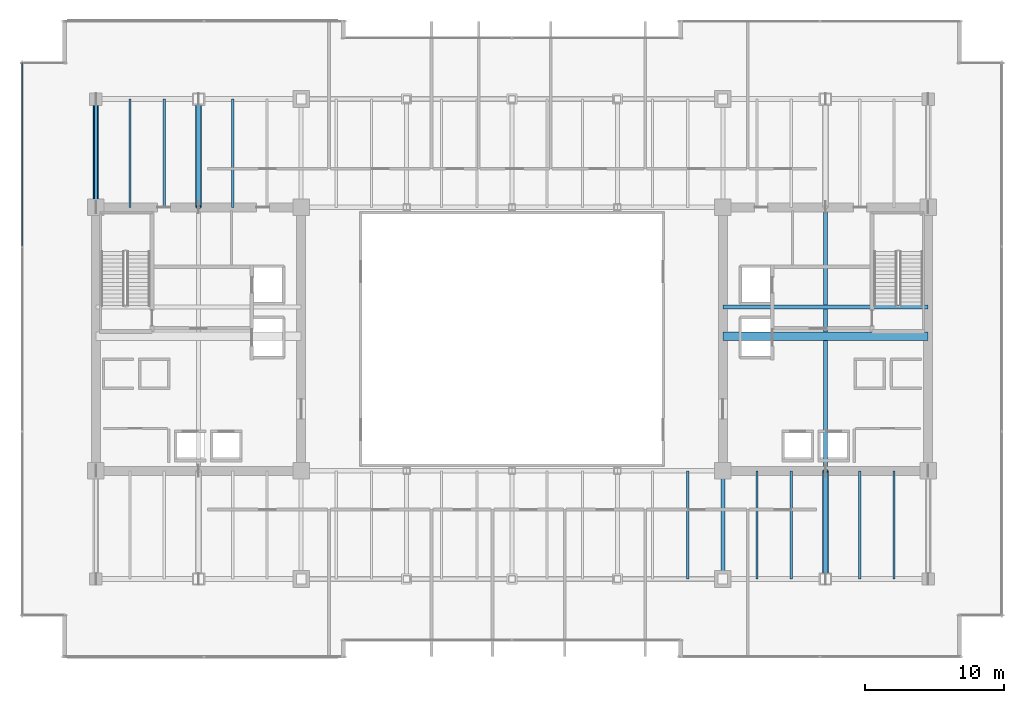
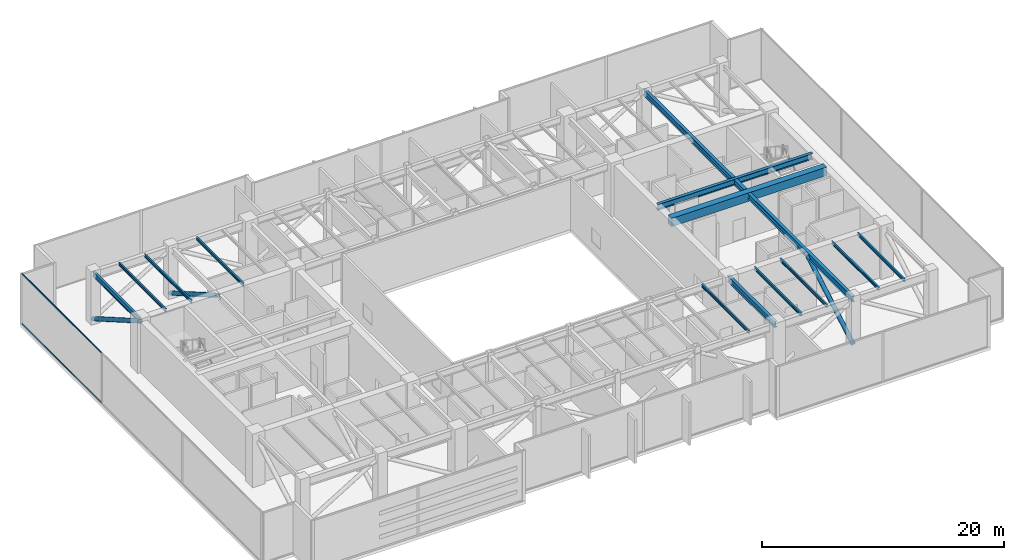
# One storey, part 13 of 34: 13 beams, 5 members, 1 element without a shape of its own.
"""IFC4 building model written with IfcOpenShell, lengths in metres."""

from ifc_helpers import new_model, si_unit, direction, frame, origin, origin_2d, place, context, subcontext, project, spatial, rectangle, hollow_rectangle, hollow_circle, i_section, extrude, source, transform, mapped, material, layer, layer_set, material_profile, profile_set, type_object, type_shapes, element, aggregate, save


model = new_model("IFC4")

# Units and contexts
model_context = context("Model", 3, precision=1e-05, world=origin(), true_north=direction((0.0, 1.0)))
body_context = subcontext(model_context, "Body", "Model", "MODEL_VIEW")
ifc_project = project(units=[si_unit("LENGTHUNIT", "METRE"), si_unit("AREAUNIT", "SQUARE_METRE"), si_unit("VOLUMEUNIT", "CUBIC_METRE"), si_unit("PLANEANGLEUNIT", "RADIAN"), si_unit("MASSUNIT", "GRAM", prefix="KILO")], contexts=[model_context])

# Site, building, storey
site_placement = place(None, origin())
site = spatial("IfcSite", under=ifc_project, at=site_placement, CompositionType="ELEMENT")
building_placement = place(site_placement, origin())
building = spatial("IfcBuilding", under=site, at=building_placement, Name="Haelvirn Gate Laboratories", CompositionType="ELEMENT")
storey_placement = place(building_placement, frame((0.0, 0.0, 191.199951171875)))
storey = spatial("IfcBuildingStorey", under=building, at=storey_placement, Name="L46", CompositionType="ELEMENT", Elevation=191.199951171875)

# Beams
ifc_material_1 = material(Name="Steel SM355", Category="steel")
ifc_material_profile_1 = material_profile(ifc_material_1, i_section(OverallWidth=0.300048828125, OverallDepth=0.587890625, WebThickness=0.011962890625, FlangeThickness=0.02001953125, at=origin_2d()), Name="H-588x300x12x20")
ifc_profile_set_1 = profile_set([ifc_material_profile_1], Name="Steel SM355")
beam_type_1 = type_object("IfcBeamType", Name="BM-G-588", PredefinedType="BEAM", material=ifc_profile_set_1)
shared_shape_1 = source(origin(), body_context, "Body", "SweptSolid", [
    extrude(i_section(OverallWidth=0.300048828125, OverallDepth=0.587890625, WebThickness=0.011962890625, FlangeThickness=0.02001953125, at=origin_2d()), origin(), (0.0, 0.0, 1.0), 14.7998046875),
])
beam_1_placement = place(storey_placement, frame((52.60009765625, 26.6201171875, 4.80615234375), z_axis=(1.0, 0.0, 0.0), x_axis=(0.0, 1.0, 0.0)))
element("IfcBeam", 1, at=beam_1_placement, inside=storey, type_object=beam_type_1, Name="L46 Stair ST2 Landing Header", PredefinedType="BEAM", context=body_context, shape_type="MappedRepresentation", body=[
    mapped(shared_shape_1, transform((0.0, 0.0, 0.0), scale=1.0)),
])
ifc_material_profile_2 = material_profile(ifc_material_1, i_section(OverallWidth=0.199951171875, OverallDepth=0.5, WebThickness=0.010009765625, FlangeThickness=0.01611328125, at=origin_2d()), Name="H-500x200x10x16")
ifc_profile_set_2 = profile_set([ifc_material_profile_2], Name="Steel SM355")
beam_type_2 = type_object("IfcBeamType", Name="BM-SP-500", PredefinedType="SPANDREL", material=ifc_profile_set_2)
shared_shape_2 = source(origin(), body_context, "Body", "SweptSolid", [
    extrude(i_section(OverallWidth=0.199951171875, OverallDepth=0.5, WebThickness=0.010009765625, FlangeThickness=0.01611328125, at=origin_2d()), origin(), (0.0, 0.0, 1.0), 7.800048828125),
])
type_shapes(beam_type_2, [shared_shape_2])
beam_2_placement = place(storey_placement, frame((7.39990234375, 33.800048828125, 4.85009765625), z_axis=(0.0, 1.0, 0.0), x_axis=(-1.0, 0.0, 0.0)))
element("IfcBeam", 2, at=beam_2_placement, inside=storey, type_object=beam_type_2, Name="L46 Perimeter Spandrel X7.4 (33.8-41.6)", PredefinedType="SPANDREL", context=body_context, shape_type="MappedRepresentation", body=[
    mapped(shared_shape_2, transform((0.0, 0.0, 0.0), scale=1.0)),
])
ifc_material_profile_3 = material_profile(ifc_material_1, i_section(OverallWidth=0.14990234375, OverallDepth=0.300048828125, WebThickness=0.006591796875, FlangeThickness=0.009033203125, at=origin_2d()), Name="H-300x150x6.5x9")
ifc_profile_set_3 = profile_set([ifc_material_profile_3], Name="Steel SM355")
beam_type_3 = type_object("IfcBeamType", Name="BM-J-300", PredefinedType="JOIST", material=ifc_profile_set_3)
shared_shape_3 = source(origin(), body_context, "Body", "SweptSolid", [
    extrude(i_section(OverallWidth=0.14990234375, OverallDepth=0.300048828125, WebThickness=0.006591796875, FlangeThickness=0.009033203125, at=origin_2d()), origin(), (0.0, 0.0, 1.0), 7.800048828125),
])
type_shapes(beam_type_3, [shared_shape_3])
for number, where, z_axis, x_axis, name in (
    (3, (9.8701171875, 33.800048828125, 4.949951171875), (0.0, 1.0, 0.0), (-1.0, 0.0, 0.0), "L46 Composite Lab Joist North X9.87"),
    (4, (12.330078125, 33.800048828125, 4.949951171875), (0.0, 1.0, 0.0), (-1.0, 0.0, 0.0), "L46 Composite Lab Joist North X12.33"),
    (5, (17.27001953125, 33.800048828125, 4.949951171875), (0.0, 1.0, 0.0), (-1.0, 0.0, 0.0), "L46 Composite Lab Joist North X17.27"),
    (6, (50.070068359375, 7.0, 4.949951171875), (0.0, 1.0, 0.0), (-1.0, 0.0, 0.0), "L46 Composite Lab Joist South X50.07"),
    (7, (55.070068359375, 7.0, 4.949951171875), (0.0, 1.0, 0.0), (-1.0, 0.0, 0.0), "L46 Composite Lab Joist South X55.07"),
    (8, (57.530029296875, 7.0, 4.949951171875), (0.0, 1.0, 0.0), (-1.0, 0.0, 0.0), "L46 Composite Lab Joist South X57.53"),
    (9, (62.469970703125, 7.0, 4.949951171875), (0.0, 1.0, 0.0), (-1.0, 0.0, 0.0), "L46 Composite Lab Joist South X62.47"),
    (10, (64.929931640625, 7.0, 4.949951171875), (0.0, 1.0, 0.0), (-1.0, 0.0, 0.0), "L46 Composite Lab Joist South X64.93"),
):
    element("IfcBeam", number, at=place(storey_placement, frame(where, z_axis=z_axis, x_axis=x_axis)), inside=storey, type_object=beam_type_3, Name=name, PredefinedType="JOIST", context=body_context, shape_type="MappedRepresentation", body=[
        mapped(shared_shape_3, transform((0.0, 0.0, 0.0), scale=1.0)),
    ])
shared_shape_4 = source(origin(), body_context, "Body", "SweptSolid", [
    extrude(i_section(OverallWidth=0.300048828125, OverallDepth=0.587890625, WebThickness=0.011962890625, FlangeThickness=0.02001953125, at=origin_2d()), origin(), (0.0, 0.0, 1.0), 34.60009765625),
])
beam_3_placement = place(storey_placement, frame((60.0, 7.0, 4.80615234375), z_axis=(0.0, 1.0, 0.0), x_axis=(-1.0, 0.0, 0.0)))
element("IfcBeam", 11, at=beam_3_placement, inside=storey, type_object=beam_type_1, Name="L46 Frame Girder X60.0 (7.0-41.6)", PredefinedType="BEAM", context=body_context, shape_type="MappedRepresentation", body=[
    mapped(shared_shape_4, transform((0.0, 0.0, 0.0), scale=1.0)),
])
shared_shape_5 = source(origin(), body_context, "Body", "SweptSolid", [
    extrude(i_section(OverallWidth=0.300048828125, OverallDepth=0.587890625, WebThickness=0.011962890625, FlangeThickness=0.02001953125, at=origin_2d()), origin(), (0.0, 0.0, 1.0), 7.800048828125),
])
type_shapes(beam_type_1, [shared_shape_1, shared_shape_4, shared_shape_5])
beam_4_placement = place(storey_placement, frame((52.60009765625, 7.0, 4.80615234375), z_axis=(0.0, 1.0, 0.0), x_axis=(-1.0, 0.0, 0.0)))
element("IfcBeam", 12, at=beam_4_placement, inside=storey, type_object=beam_type_1, Name="L46 Frame Girder X52.6 (7.0-14.8)", PredefinedType="BEAM", context=body_context, shape_type="MappedRepresentation", body=[
    mapped(shared_shape_5, transform((0.0, 0.0, 0.0), scale=1.0)),
])
ifc_material_2 = material(Name="Concrete C50/60", Category="concrete")
ifc_material_profile_4 = material_profile(ifc_material_2, rectangle(XDim=0.60009765625, YDim=0.85009765625, at=origin_2d()), Name="RCB-600x850")
ifc_profile_set_4 = profile_set([ifc_material_profile_4], Name="Concrete C50/60")
beam_type_4 = type_object("IfcBeamType", Name="BM-RCB-850", PredefinedType="LINTEL", material=ifc_profile_set_4)
shared_shape_6 = source(origin(), body_context, "Body", "SweptSolid", [
    extrude(rectangle(XDim=0.60009765625, YDim=0.85009765625, at=origin_2d()), origin(), (0.0, 0.0, 1.0), 14.7998046875),
])
type_shapes(beam_type_4, [shared_shape_6])
beam_5_placement = place(storey_placement, frame((52.60009765625, 24.5, 4.675048828125), z_axis=(1.0, 0.0, 0.0), x_axis=(0.0, 1.0, 0.0)))
element("IfcBeam", 13, at=beam_5_placement, inside=storey, type_object=beam_type_4, Name="L46 East Core Coupling Beam", PredefinedType="LINTEL", context=body_context, shape_type="MappedRepresentation", body=[
    mapped(shared_shape_6, transform((0.0, 0.0, 0.0), scale=1.0)),
])

# Members
ifc_material_3 = material(Name="Steel SM420", Category="steel")
ifc_material_profile_5 = material_profile(ifc_material_3, hollow_circle(Radius=0.203125, WallThickness=0.01611328125, at=origin_2d()), Name="CHS-406x16")
ifc_profile_set_5 = profile_set([ifc_material_profile_5], Name="Steel SM420")
member_type_1 = type_object("IfcMemberType", Name="MEM-OUTRIG-2", PredefinedType="BRACE", material=ifc_profile_set_5)
shared_shape_7 = source(origin(), body_context, "Body", "SweptSolid", [
    extrude(hollow_circle(Radius=0.203125, WallThickness=0.01611328125, at=origin_2d()), origin(), (0.0, 0.0, 1.0), 9.005126953125),
])
type_shapes(member_type_1, [shared_shape_7])
for number, where, z_axis, x_axis, name in (
    (14, (7.39990234375, 33.800048828125, 4.75), (0.0, 0.866186940118, -0.499720106428), (-1.0, 0.0, 0.0), "L46 Outrigger Truss Arm WN1"),
    (15, (14.800048828125, 33.800048828125, 4.75), (0.0, 0.866186940118, -0.499720106428), (-1.0, 0.0, 0.0), "L46 Outrigger Truss Arm WN2"),
    (16, (60.0, 14.800048828125, 4.75), (0.0, -0.866186940118, -0.499720106428), (1.0, 0.0, 0.0), "L46 Outrigger Truss Arm ES1"),
):
    element("IfcMember", number, at=place(storey_placement, frame(where, z_axis=z_axis, x_axis=x_axis)), inside=storey, type_object=member_type_1, Name=name, PredefinedType="BRACE", context=body_context, shape_type="MappedRepresentation", body=[
        mapped(shared_shape_7, transform((0.0, 0.0, 0.0), scale=1.0)),
    ])

# Curtain wall, members
ifc_material_4 = material(Name="Anodised bronze unitised aluminium & triple low-E glass", Category="aluminium")
ifc_layer = layer(ifc_material_4, 0.179931640625, Name="CW-SYS-3")
ifc_layer_set = layer_set([ifc_layer], Name="Anodised bronze unitised aluminium & triple low-E glass")
curtain_wall_type = type_object("IfcCurtainWallType", Name="CW-SYS-3", PredefinedType="NOTDEFINED", material=ifc_layer_set)
curtain_wall_placement = place(storey_placement, origin())
curtain_wall = element("IfcCurtainWall", 17, at=curtain_wall_placement, inside=storey, type_object=curtain_wall_type, Name="L46 Unitised Curtain Wall CW-L46-P0-E17", PredefinedType="NOTDEFINED")
ifc_material_5 = material(Name="Extruded aluminium 6063-T6 (anodised bronze)", Category="aluminium")
ifc_material_profile_6 = material_profile(ifc_material_5, hollow_rectangle(XDim=0.06494140625, YDim=0.139892578125, WallThickness=0.00390625, at=origin_2d()), Name="CWT-140x65x4")
ifc_profile_set_6 = profile_set([ifc_material_profile_6], Name="Extruded aluminium 6063-T6 (anodised bronze)")
member_type_2 = type_object("IfcMemberType", Name="CWT-T140", PredefinedType="USERDEFINED", material=ifc_profile_set_6)
shared_shape_8 = source(origin(), body_context, "Body", "SweptSolid", [
    extrude(hollow_rectangle(XDim=0.06494140625, YDim=0.139892578125, WallThickness=0.00390625, at=origin_2d()), origin(), (0.0, 0.0, 1.0), 13.220947265625),
])
type_shapes(member_type_2, [shared_shape_8])
member_1_placement = place(storey_placement, frame((2.10009765625, 44.22509765625, 0.032470703125), z_axis=(0.0, -1.0, 0.0), x_axis=(1.0, 0.0, 0.0)))
member_1 = element("IfcMember", 18, at=member_1_placement, type_object=member_type_2, Name="CW3 transom 1.1", ObjectType="TRANSOM", PredefinedType="USERDEFINED", context=body_context, shape_type="MappedRepresentation", body=[
    mapped(shared_shape_8, transform((0.0, 0.0, 0.0), scale=1.0)),
])
member_2_placement = place(storey_placement, frame((2.10009765625, 44.22509765625, 5.067626953125), z_axis=(0.0, -1.0, 0.0), x_axis=(1.0, 0.0, 0.0)))
member_2 = element("IfcMember", 19, at=member_2_placement, type_object=member_type_2, Name="CW3 transom 1.2", ObjectType="TRANSOM", PredefinedType="USERDEFINED", context=body_context, shape_type="MappedRepresentation", body=[
    mapped(shared_shape_8, transform((0.0, 0.0, 0.0), scale=1.0)),
])
aggregate(curtain_wall, [member_1, member_2])

save(model, "model.ifc")
